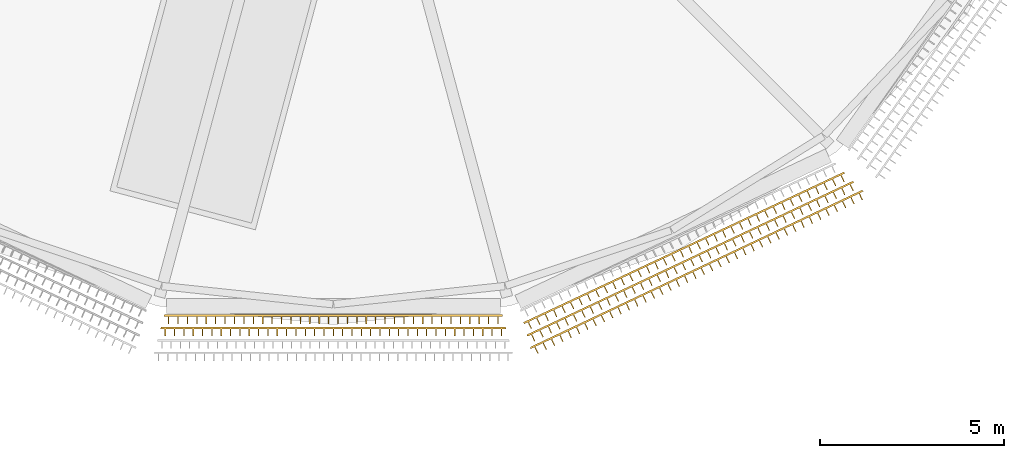
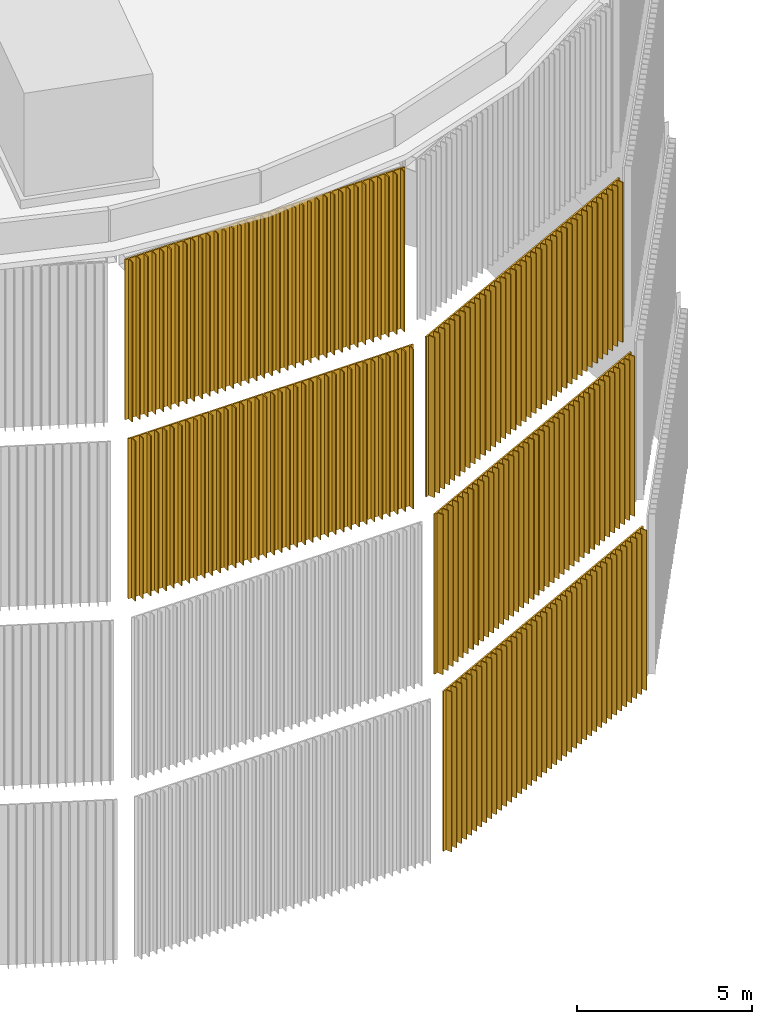
# One storey, part 5 of 24: 5 coverings.
"""IFC4 building model written with IfcOpenShell, lengths in metres."""

from ifc_helpers import new_model, si_unit, direction, frame, origin, place, context, subcontext, project, spatial, polyline, outline, extrude, material, type_object, element, save


model = new_model("IFC4")

# Units and contexts
model_context = context("Model", 3, precision=1e-05, world=origin(), true_north=direction((0.0, 1.0)))
body_context = subcontext(model_context, "Body", "Model", "MODEL_VIEW")
ifc_project = project(units=[si_unit("LENGTHUNIT", "METRE"), si_unit("AREAUNIT", "SQUARE_METRE"), si_unit("VOLUMEUNIT", "CUBIC_METRE"), si_unit("PLANEANGLEUNIT", "RADIAN"), si_unit("MASSUNIT", "GRAM", prefix="KILO")], contexts=[model_context])

# Site, building, storey
site_placement = place(None, origin())
site = spatial("IfcSite", under=ifc_project, at=site_placement, CompositionType="ELEMENT")
building_placement = place(site_placement, origin())
building = spatial("IfcBuilding", under=site, at=building_placement, Name="Rimbun Link Towers", CompositionType="ELEMENT")
storey_placement = place(building_placement, frame((0.0, 0.0, 294.89990234375)))
storey = spatial("IfcBuildingStorey", under=building, at=storey_placement, Name="Roof cap", CompositionType="ELEMENT", Elevation=294.89990234375)

# Coverings
ifc_material = material(Name="Terracotta", Category="masonry")
covering_type = type_object("IfcCoveringType", Name="TERRACOTTA CLADDING screen fins", PredefinedType="CLADDING", material=ifc_material)
covering_1_placement = place(storey_placement, frame((0.0, 0.0, -23.087890625)))
element("IfcCovering", 1, at=covering_1_placement, inside=storey, type_object=covering_type, Name="TERRACOTTA CLADDING screen", PredefinedType="CLADDING", context=body_context, shape_type="SweptSolid", body=[
    extrude(outline(polyline([(-26.37451171875, -19.08056640625), (-26.274658203125, -19.033447265625), (-26.189208984375, -19.214111328125), (-26.162109375, -19.201416015625), (-26.24755859375, -19.0205078125), (-26.048095703125, -18.92626953125), (-25.962646484375, -19.107177734375), (-25.935546875, -19.09423828125), (-26.02099609375, -18.91357421875), (-25.82177734375, -18.819091796875), (-25.736083984375, -19.0), (-25.708984375, -18.987060546875), (-25.794677734375, -18.806396484375), (-25.59521484375, -18.7119140625), (-25.509765625, -18.892822265625), (-25.482666015625, -18.8798828125), (-25.568115234375, -18.69921875), (-25.36865234375, -18.604736328125), (-25.283203125, -18.78564453125), (-25.256103515625, -18.772705078125), (-25.341552734375, -18.592041015625), (-25.142333984375, -18.497802734375), (-25.056640625, -18.678466796875), (-25.029541015625, -18.66552734375), (-25.114990234375, -18.48486328125), (-24.915771484375, -18.390380859375), (-24.830078125, -18.5712890625), (-24.802978515625, -18.55859375), (-24.888671875, -18.377685546875), (-24.689208984375, -18.283447265625), (-24.603759765625, -18.464111328125), (-24.57666015625, -18.451416015625), (-24.662109375, -18.2705078125), (-24.462890625, -18.17626953125), (-24.377197265625, -18.35693359375), (-24.35009765625, -18.34423828125), (-24.435791015625, -18.163330078125), (-24.236328125, -18.069091796875), (-24.15087890625, -18.25), (-24.12353515625, -18.237060546875), (-24.209228515625, -18.05615234375), (-24.009765625, -17.9619140625), (-23.92431640625, -18.142578125), (-23.897216796875, -18.1298828125), (-23.982666015625, -17.94921875), (-23.783203125, -17.854736328125), (-23.69775390625, -18.03564453125), (-23.670654296875, -18.022705078125), (-23.756103515625, -17.841796875), (-23.556884765625, -17.74755859375), (-23.47119140625, -17.928466796875), (-23.444091796875, -17.91552734375), (-23.52978515625, -17.73486328125), (-23.330322265625, -17.640380859375), (-23.244873046875, -17.8212890625), (-23.2177734375, -17.808349609375), (-23.30322265625, -17.627685546875), (-23.103759765625, -17.533203125), (-23.018310546875, -17.714111328125), (-22.9912109375, -17.701416015625), (-23.07666015625, -17.5205078125), (-22.877197265625, -17.42626953125), (-22.791748046875, -17.60693359375), (-22.7646484375, -17.593994140625), (-22.85009765625, -17.413330078125), (-22.65087890625, -17.319091796875), (-22.565185546875, -17.499755859375), (-22.5380859375, -17.487060546875), (-22.623779296875, -17.30615234375), (-22.42431640625, -17.2119140625), (-22.3388671875, -17.392578125), (-22.311767578125, -17.3798828125), (-22.397216796875, -17.198974609375), (-22.197998046875, -17.104736328125), (-22.1123046875, -17.285400390625), (-22.085205078125, -17.272705078125), (-22.170654296875, -17.091796875), (-21.971435546875, -16.99755859375), (-21.8857421875, -17.17822265625), (-21.858642578125, -17.16552734375), (-21.944091796875, -16.984619140625), (-21.744873046875, -16.890380859375), (-21.6591796875, -17.0712890625), (-21.632080078125, -17.058349609375), (-21.7177734375, -16.877685546875), (-21.518310546875, -16.783203125), (-21.432861328125, -16.964111328125), (-21.40576171875, -16.951171875), (-21.4912109375, -16.7705078125), (-21.2919921875, -16.676025390625), (-21.206298828125, -16.85693359375), (-21.17919921875, -16.843994140625), (-21.264892578125, -16.663330078125), (-21.0654296875, -16.56884765625), (-20.97998046875, -16.749755859375), (-20.95263671875, -16.73681640625), (-21.038330078125, -16.55615234375), (-20.8388671875, -16.4619140625), (-20.75341796875, -16.642578125), (-20.726318359375, -16.629638671875), (-20.811767578125, -16.448974609375), (-20.6123046875, -16.3544921875), (-20.52685546875, -16.535400390625), (-20.499755859375, -16.522705078125), (-20.585205078125, -16.341796875), (-20.385986328125, -16.24755859375), (-20.30029296875, -16.42822265625), (-20.273193359375, -16.415283203125), (-20.35888671875, -16.234619140625), (-20.159423828125, -16.140380859375), (-20.073974609375, -16.321044921875), (-20.046875, -16.308349609375), (-20.13232421875, -16.12744140625), (-19.932861328125, -16.033203125), (-19.847412109375, -16.214111328125), (-19.8203125, -16.201171875), (-19.90576171875, -16.020263671875), (-19.706298828125, -15.926025390625), (-19.620849609375, -16.106689453125), (-19.59375, -16.093994140625), (-19.67919921875, -15.9130859375), (-19.47998046875, -15.81884765625), (-19.394287109375, -15.999755859375), (-19.3671875, -15.98681640625), (-19.452880859375, -15.805908203125), (-19.25341796875, -15.711669921875), (-19.16796875, -15.892578125), (-19.140869140625, -15.879638671875), (-19.226318359375, -15.698974609375), (-19.027099609375, -15.6044921875), (-18.94140625, -15.785400390625), (-18.914306640625, -15.7724609375), (-18.999755859375, -15.591796875), (-18.800537109375, -15.497314453125), (-18.71484375, -15.67822265625), (-18.687744140625, -15.665283203125), (-18.773193359375, -15.484619140625), (-18.573974609375, -15.390380859375), (-18.48828125, -15.571044921875), (-18.461181640625, -15.55810546875), (-18.546875, -15.37744140625), (-18.347412109375, -15.283203125), (-18.261962890625, -15.4638671875), (-18.23486328125, -15.451171875), (-18.3203125, -15.270263671875), (-18.12109375, -15.176025390625), (-18.035400390625, -15.356689453125), (-18.00830078125, -15.343994140625), (-18.093994140625, -15.1630859375), (-17.89453125, -15.06884765625), (-17.80908203125, -15.24951171875), (-17.78173828125, -15.23681640625), (-17.867431640625, -15.055908203125), (-17.66796875, -14.961669921875), (-17.58251953125, -15.142333984375), (-17.555419921875, -15.129638671875), (-17.640869140625, -14.94873046875), (-17.44140625, -14.8544921875), (-17.35595703125, -15.035400390625), (-17.328857421875, -15.0224609375), (-17.414306640625, -14.841796875), (-17.314697265625, -14.79443359375), (-17.352294921875, -14.757080078125), (-26.3876953125, -19.031494140625), (-26.37451171875, -19.08056640625)])), origin(), (0.0, 0.0, 1.0), 5.575927734375),
])
covering_2_placement = place(storey_placement, frame((0.0, 0.0, -17.087890625)))
element("IfcCovering", 2, at=covering_2_placement, inside=storey, type_object=covering_type, Name="TERRACOTTA CLADDING screen", PredefinedType="CLADDING", context=body_context, shape_type="SweptSolid", body=[
    extrude(outline(polyline([(-26.465087890625, -18.742431640625), (-26.364501953125, -18.695068359375), (-26.279296875, -18.876220703125), (-26.251953125, -18.86328125), (-26.33740234375, -18.682373046875), (-26.13623046875, -18.587646484375), (-26.05078125, -18.7685546875), (-26.023681640625, -18.755615234375), (-26.10888671875, -18.57470703125), (-25.907958984375, -18.47998046875), (-25.822509765625, -18.660888671875), (-25.79541015625, -18.648193359375), (-25.880615234375, -18.46728515625), (-25.6796875, -18.372314453125), (-25.59423828125, -18.55322265625), (-25.567138671875, -18.54052734375), (-25.652587890625, -18.359619140625), (-25.451416015625, -18.264892578125), (-25.3662109375, -18.44580078125), (-25.3388671875, -18.43310546875), (-25.42431640625, -18.251953125), (-25.222900390625, -18.1572265625), (-25.1376953125, -18.338134765625), (-25.110595703125, -18.325439453125), (-25.19580078125, -18.14453125), (-24.994873046875, -18.0498046875), (-24.909423828125, -18.230712890625), (-24.88232421875, -18.2177734375), (-24.967529296875, -18.036865234375), (-24.7666015625, -17.942138671875), (-24.68115234375, -18.123046875), (-24.654052734375, -18.110107421875), (-24.739501953125, -17.92919921875), (-24.5380859375, -17.83447265625), (-24.452880859375, -18.015380859375), (-24.42578125, -18.002685546875), (-24.510986328125, -17.82177734375), (-24.309814453125, -17.726806640625), (-24.224609375, -17.907958984375), (-24.197509765625, -17.89501953125), (-24.28271484375, -17.714111328125), (-24.081787109375, -17.619384765625), (-23.996337890625, -17.80029296875), (-23.96923828125, -17.78759765625), (-24.054443359375, -17.606689453125), (-23.853515625, -17.51171875), (-23.76806640625, -17.692626953125), (-23.740966796875, -17.679931640625), (-23.826171875, -17.4990234375), (-23.625, -17.404296875), (-23.539794921875, -17.585205078125), (-23.5126953125, -17.572265625), (-23.597900390625, -17.391357421875), (-23.396728515625, -17.296630859375), (-23.3115234375, -17.4775390625), (-23.284423828125, -17.46484375), (-23.36962890625, -17.28369140625), (-23.168701171875, -17.189208984375), (-23.083251953125, -17.3701171875), (-23.05615234375, -17.357177734375), (-23.141357421875, -17.17626953125), (-22.940185546875, -17.08154296875), (-22.85498046875, -17.262451171875), (-22.827880859375, -17.24951171875), (-22.9130859375, -17.068603515625), (-22.7119140625, -16.973876953125), (-22.626708984375, -17.15478515625), (-22.599609375, -17.14208984375), (-22.684814453125, -16.961181640625), (-22.483642578125, -16.8662109375), (-22.3984375, -17.047119140625), (-22.371337890625, -17.034423828125), (-22.45654296875, -16.853515625), (-22.25537109375, -16.7587890625), (-22.170166015625, -16.939697265625), (-22.14306640625, -16.927001953125), (-22.228271484375, -16.74609375), (-22.027099609375, -16.651123046875), (-21.94189453125, -16.83203125), (-21.914794921875, -16.8193359375), (-22.0, -16.638427734375), (-21.798828125, -16.543701171875), (-21.713623046875, -16.724609375), (-21.6865234375, -16.711669921875), (-21.771728515625, -16.53076171875), (-21.570556640625, -16.43603515625), (-21.4853515625, -16.616943359375), (-21.458251953125, -16.60400390625), (-21.54345703125, -16.423095703125), (-21.34228515625, -16.328369140625), (-21.257080078125, -16.509521484375), (-21.22998046875, -16.49658203125), (-21.315185546875, -16.315673828125), (-21.114013671875, -16.220947265625), (-21.02880859375, -16.40185546875), (-21.001708984375, -16.388916015625), (-21.0869140625, -16.2080078125), (-20.8857421875, -16.11328125), (-20.800537109375, -16.294189453125), (-20.7734375, -16.281494140625), (-20.858642578125, -16.1005859375), (-20.657470703125, -16.005615234375), (-20.572265625, -16.1865234375), (-20.545166015625, -16.173828125), (-20.63037109375, -15.992919921875), (-20.42919921875, -15.898193359375), (-20.343994140625, -16.0791015625), (-20.31689453125, -16.06640625), (-20.402099609375, -15.88525390625), (-20.200927734375, -15.79052734375), (-20.11572265625, -15.971435546875), (-20.08837890625, -15.958740234375), (-20.173828125, -15.77783203125), (-19.97265625, -15.68310546875), (-19.887451171875, -15.864013671875), (-19.8603515625, -15.85107421875), (-19.945556640625, -15.670166015625), (-19.744384765625, -15.575439453125), (-19.6591796875, -15.75634765625), (-19.632080078125, -15.743408203125), (-19.71728515625, -15.5625), (-19.51611328125, -15.4677734375), (-19.430908203125, -15.648681640625), (-19.40380859375, -15.635986328125), (-19.489013671875, -15.455078125), (-19.287841796875, -15.360107421875), (-19.20263671875, -15.541259765625), (-19.17529296875, -15.5283203125), (-19.2607421875, -15.347412109375), (-19.0595703125, -15.252685546875), (-18.974365234375, -15.43359375), (-18.947265625, -15.4208984375), (-19.032470703125, -15.239990234375), (-18.831298828125, -15.14501953125), (-18.74609375, -15.325927734375), (-18.718994140625, -15.313232421875), (-18.80419921875, -15.13232421875), (-18.60302734375, -15.03759765625), (-18.517578125, -15.218505859375), (-18.490478515625, -15.20556640625), (-18.575927734375, -15.024658203125), (-18.374755859375, -14.929931640625), (-18.28955078125, -15.11083984375), (-18.26220703125, -15.09814453125), (-18.34765625, -14.917236328125), (-18.146484375, -14.822509765625), (-18.061279296875, -15.00341796875), (-18.0341796875, -14.990478515625), (-18.119384765625, -14.8095703125), (-17.918212890625, -14.71484375), (-17.8330078125, -14.895751953125), (-17.805908203125, -14.8828125), (-17.89111328125, -14.701904296875), (-17.68994140625, -14.607177734375), (-17.6044921875, -14.7880859375), (-17.577392578125, -14.775390625), (-17.662841796875, -14.594482421875), (-17.562255859375, -14.547119140625), (-17.599853515625, -14.509521484375), (-26.478271484375, -18.693603515625), (-26.465087890625, -18.742431640625)])), origin(), (0.0, 0.0, 1.0), 5.575927734375),
])
covering_3_placement = place(storey_placement, frame((0.0, 0.0, -11.087890625)))
element("IfcCovering", 3, at=covering_3_placement, inside=storey, type_object=covering_type, Name="TERRACOTTA CLADDING screen", PredefinedType="CLADDING", context=body_context, shape_type="SweptSolid", body=[
    extrude(outline(polyline([(-36.4541015625, -18.536865234375), (-36.341796875, -18.536865234375), (-36.341796875, -18.73681640625), (-36.311767578125, -18.73681640625), (-36.311767578125, -18.536865234375), (-36.087646484375, -18.536865234375), (-36.087646484375, -18.73681640625), (-36.0576171875, -18.73681640625), (-36.0576171875, -18.536865234375), (-35.833251953125, -18.536865234375), (-35.833251953125, -18.73681640625), (-35.80322265625, -18.73681640625), (-35.80322265625, -18.536865234375), (-35.5791015625, -18.536865234375), (-35.5791015625, -18.73681640625), (-35.549072265625, -18.73681640625), (-35.549072265625, -18.536865234375), (-35.32470703125, -18.536865234375), (-35.32470703125, -18.73681640625), (-35.294677734375, -18.73681640625), (-35.294677734375, -18.536865234375), (-35.070556640625, -18.536865234375), (-35.070556640625, -18.73681640625), (-35.04052734375, -18.73681640625), (-35.04052734375, -18.536865234375), (-34.816162109375, -18.536865234375), (-34.816162109375, -18.73681640625), (-34.7861328125, -18.73681640625), (-34.7861328125, -18.536865234375), (-34.56201171875, -18.536865234375), (-34.56201171875, -18.73681640625), (-34.531982421875, -18.73681640625), (-34.531982421875, -18.536865234375), (-34.3076171875, -18.536865234375), (-34.3076171875, -18.73681640625), (-34.277587890625, -18.73681640625), (-34.277587890625, -18.536865234375), (-34.053466796875, -18.536865234375), (-34.053466796875, -18.73681640625), (-34.0234375, -18.73681640625), (-34.0234375, -18.536865234375), (-33.799072265625, -18.536865234375), (-33.799072265625, -18.73681640625), (-33.76904296875, -18.73681640625), (-33.76904296875, -18.536865234375), (-33.544921875, -18.536865234375), (-33.544921875, -18.73681640625), (-33.514892578125, -18.73681640625), (-33.514892578125, -18.536865234375), (-33.29052734375, -18.536865234375), (-33.29052734375, -18.73681640625), (-33.260498046875, -18.73681640625), (-33.260498046875, -18.536865234375), (-33.036376953125, -18.536865234375), (-33.036376953125, -18.73681640625), (-33.00634765625, -18.73681640625), (-33.00634765625, -18.536865234375), (-32.781982421875, -18.536865234375), (-32.781982421875, -18.73681640625), (-32.752197265625, -18.73681640625), (-32.752197265625, -18.536865234375), (-32.52783203125, -18.536865234375), (-32.52783203125, -18.73681640625), (-32.497802734375, -18.73681640625), (-32.497802734375, -18.536865234375), (-32.2734375, -18.536865234375), (-32.2734375, -18.73681640625), (-32.243408203125, -18.73681640625), (-32.243408203125, -18.536865234375), (-32.019287109375, -18.536865234375), (-32.019287109375, -18.73681640625), (-31.9892578125, -18.73681640625), (-31.9892578125, -18.536865234375), (-31.764892578125, -18.536865234375), (-31.764892578125, -18.73681640625), (-31.735107421875, -18.73681640625), (-31.735107421875, -18.536865234375), (-31.5107421875, -18.536865234375), (-31.5107421875, -18.73681640625), (-31.480712890625, -18.73681640625), (-31.480712890625, -18.536865234375), (-31.256591796875, -18.536865234375), (-31.256591796875, -18.73681640625), (-31.2265625, -18.73681640625), (-31.2265625, -18.536865234375), (-31.002197265625, -18.536865234375), (-31.002197265625, -18.73681640625), (-30.97216796875, -18.73681640625), (-30.97216796875, -18.536865234375), (-30.747802734375, -18.536865234375), (-30.747802734375, -18.73681640625), (-30.718017578125, -18.73681640625), (-30.718017578125, -18.536865234375), (-30.49365234375, -18.536865234375), (-30.49365234375, -18.73681640625), (-30.463623046875, -18.73681640625), (-30.463623046875, -18.536865234375), (-30.239501953125, -18.536865234375), (-30.239501953125, -18.73681640625), (-30.20947265625, -18.73681640625), (-30.20947265625, -18.536865234375), (-29.985107421875, -18.536865234375), (-29.985107421875, -18.73681640625), (-29.955078125, -18.73681640625), (-29.955078125, -18.536865234375), (-29.73095703125, -18.536865234375), (-29.73095703125, -18.73681640625), (-29.700927734375, -18.73681640625), (-29.700927734375, -18.536865234375), (-29.4765625, -18.536865234375), (-29.4765625, -18.73681640625), (-29.446533203125, -18.73681640625), (-29.446533203125, -18.536865234375), (-29.222412109375, -18.536865234375), (-29.222412109375, -18.73681640625), (-29.1923828125, -18.73681640625), (-29.1923828125, -18.536865234375), (-28.968017578125, -18.536865234375), (-28.968017578125, -18.73681640625), (-28.93798828125, -18.73681640625), (-28.93798828125, -18.536865234375), (-28.7138671875, -18.536865234375), (-28.7138671875, -18.73681640625), (-28.683837890625, -18.73681640625), (-28.683837890625, -18.536865234375), (-28.45947265625, -18.536865234375), (-28.45947265625, -18.73681640625), (-28.429443359375, -18.73681640625), (-28.429443359375, -18.536865234375), (-28.205322265625, -18.536865234375), (-28.205322265625, -18.73681640625), (-28.17529296875, -18.73681640625), (-28.17529296875, -18.536865234375), (-27.950927734375, -18.536865234375), (-27.950927734375, -18.73681640625), (-27.9208984375, -18.73681640625), (-27.9208984375, -18.536865234375), (-27.69677734375, -18.536865234375), (-27.69677734375, -18.73681640625), (-27.666748046875, -18.73681640625), (-27.666748046875, -18.536865234375), (-27.4423828125, -18.536865234375), (-27.4423828125, -18.73681640625), (-27.412353515625, -18.73681640625), (-27.412353515625, -18.536865234375), (-27.188232421875, -18.536865234375), (-27.188232421875, -18.73681640625), (-27.158203125, -18.73681640625), (-27.158203125, -18.536865234375), (-27.0458984375, -18.536865234375), (-27.059326171875, -18.48681640625), (-36.440673828125, -18.48681640625), (-36.4541015625, -18.536865234375)])), origin(), (0.0, 0.0, 1.0), 5.575927734375),
])
covering_4_placement = place(storey_placement, frame((0.0, 0.0, -11.087890625)))
element("IfcCovering", 4, at=covering_4_placement, inside=storey, type_object=covering_type, Name="TERRACOTTA CLADDING screen", PredefinedType="CLADDING", context=body_context, shape_type="SweptSolid", body=[
    extrude(outline(polyline([(-26.5556640625, -18.404541015625), (-26.4541015625, -18.356689453125), (-26.369140625, -18.537841796875), (-26.342041015625, -18.525146484375), (-26.427001953125, -18.343994140625), (-26.22412109375, -18.248779296875), (-26.138916015625, -18.429931640625), (-26.11181640625, -18.4169921875), (-26.19677734375, -18.236083984375), (-25.993896484375, -18.140869140625), (-25.90869140625, -18.32177734375), (-25.881591796875, -18.30908203125), (-25.966552734375, -18.1279296875), (-25.763671875, -18.03271484375), (-25.6787109375, -18.2138671875), (-25.651611328125, -18.201171875), (-25.736572265625, -18.02001953125), (-25.533447265625, -17.9248046875), (-25.448486328125, -18.105712890625), (-25.42138671875, -18.093017578125), (-25.50634765625, -17.912109375), (-25.30322265625, -17.816650390625), (-25.218505859375, -17.997802734375), (-25.191162109375, -17.985107421875), (-25.276123046875, -17.803955078125), (-25.0732421875, -17.708740234375), (-24.98828125, -17.8896484375), (-24.9609375, -17.876953125), (-25.0458984375, -17.69580078125), (-24.843017578125, -17.6005859375), (-24.758056640625, -17.78173828125), (-24.73095703125, -17.76904296875), (-24.81591796875, -17.587890625), (-24.61279296875, -17.49267578125), (-24.52783203125, -17.673583984375), (-24.500732421875, -17.660888671875), (-24.585693359375, -17.47998046875), (-24.3828125, -17.384521484375), (-24.297607421875, -17.565673828125), (-24.2705078125, -17.552978515625), (-24.35546875, -17.371826171875), (-24.152587890625, -17.276611328125), (-24.067626953125, -17.45751953125), (-24.040283203125, -17.44482421875), (-24.12548828125, -17.263916015625), (-23.92236328125, -17.168701171875), (-23.83740234375, -17.349609375), (-23.810302734375, -17.3369140625), (-23.895263671875, -17.15576171875), (-23.692138671875, -17.060546875), (-23.607421875, -17.24169921875), (-23.580078125, -17.228759765625), (-23.6650390625, -17.0478515625), (-23.462158203125, -16.952392578125), (-23.377197265625, -17.133544921875), (-23.349853515625, -17.120849609375), (-23.434814453125, -16.939697265625), (-23.23193359375, -16.844482421875), (-23.14697265625, -17.025390625), (-23.119873046875, -17.0126953125), (-23.204833984375, -16.831787109375), (-23.001708984375, -16.736572265625), (-22.916748046875, -16.91748046875), (-22.8896484375, -16.90478515625), (-22.974609375, -16.7236328125), (-22.771484375, -16.62841796875), (-22.6865234375, -16.8095703125), (-22.659423828125, -16.796630859375), (-22.744384765625, -16.61572265625), (-22.54150390625, -16.5205078125), (-22.45654296875, -16.701416015625), (-22.42919921875, -16.688720703125), (-22.514404296875, -16.5078125), (-22.311279296875, -16.412353515625), (-22.226318359375, -16.593505859375), (-22.19921875, -16.580810546875), (-22.2841796875, -16.399658203125), (-22.0810546875, -16.304443359375), (-21.99609375, -16.4853515625), (-21.968994140625, -16.47265625), (-22.053955078125, -16.29150390625), (-21.85107421875, -16.1962890625), (-21.76611328125, -16.37744140625), (-21.73876953125, -16.364501953125), (-21.82373046875, -16.18359375), (-21.620849609375, -16.08837890625), (-21.535888671875, -16.269287109375), (-21.5087890625, -16.256591796875), (-21.59375, -16.07568359375), (-21.390625, -15.980224609375), (-21.3056640625, -16.161376953125), (-21.278564453125, -16.148681640625), (-21.363525390625, -15.967529296875), (-21.160400390625, -15.872314453125), (-21.075439453125, -16.05322265625), (-21.04833984375, -16.04052734375), (-21.13330078125, -15.859619140625), (-20.930419921875, -15.76416015625), (-20.845458984375, -15.9453125), (-20.818115234375, -15.9326171875), (-20.9033203125, -15.75146484375), (-20.7001953125, -15.65625), (-20.615234375, -15.83740234375), (-20.588134765625, -15.824462890625), (-20.673095703125, -15.6435546875), (-20.469970703125, -15.548095703125), (-20.385009765625, -15.729248046875), (-20.35791015625, -15.716552734375), (-20.44287109375, -15.535400390625), (-20.239990234375, -15.440185546875), (-20.15478515625, -15.62109375), (-20.127685546875, -15.6083984375), (-20.212646484375, -15.427490234375), (-20.009765625, -15.332275390625), (-19.9248046875, -15.51318359375), (-19.897705078125, -15.50048828125), (-19.982666015625, -15.3193359375), (-19.779541015625, -15.22412109375), (-19.694580078125, -15.4052734375), (-19.66748046875, -15.392333984375), (-19.75244140625, -15.21142578125), (-19.54931640625, -15.1162109375), (-19.46435546875, -15.297119140625), (-19.437255859375, -15.284423828125), (-19.522216796875, -15.103515625), (-19.3193359375, -15.008056640625), (-19.234375, -15.189208984375), (-19.20703125, -15.176513671875), (-19.2919921875, -14.995361328125), (-19.089111328125, -14.900146484375), (-19.004150390625, -15.0810546875), (-18.97705078125, -15.068359375), (-19.06201171875, -14.88720703125), (-18.85888671875, -14.7919921875), (-18.77392578125, -14.97314453125), (-18.746826171875, -14.960205078125), (-18.831787109375, -14.779296875), (-18.62890625, -14.68408203125), (-18.543701171875, -14.864990234375), (-18.5166015625, -14.852294921875), (-18.6015625, -14.67138671875), (-18.398681640625, -14.575927734375), (-18.313720703125, -14.757080078125), (-18.28662109375, -14.744384765625), (-18.37158203125, -14.563232421875), (-18.16845703125, -14.468017578125), (-18.08349609375, -14.64892578125), (-18.056396484375, -14.63623046875), (-18.141357421875, -14.455078125), (-17.938232421875, -14.35986328125), (-17.853271484375, -14.541015625), (-17.826171875, -14.5283203125), (-17.9111328125, -14.34716796875), (-17.809814453125, -14.299560546875), (-17.847412109375, -14.261962890625), (-26.56884765625, -18.35546875), (-26.5556640625, -18.404541015625)])), origin(), (0.0, 0.0, 1.0), 5.575927734375),
])
covering_5_placement = place(storey_placement, frame((0.0, 0.0, -5.087890625)))
element("IfcCovering", 5, at=covering_5_placement, inside=storey, type_object=covering_type, Name="TERRACOTTA CLADDING screen", PredefinedType="CLADDING", context=body_context, shape_type="SweptSolid", body=[
    extrude(outline(polyline([(-36.36328125, -18.19873046875), (-36.250244140625, -18.19873046875), (-36.250244140625, -18.398681640625), (-36.22021484375, -18.398681640625), (-36.22021484375, -18.19873046875), (-35.993896484375, -18.19873046875), (-35.993896484375, -18.398681640625), (-35.9638671875, -18.398681640625), (-35.9638671875, -18.19873046875), (-35.737548828125, -18.19873046875), (-35.737548828125, -18.398681640625), (-35.70751953125, -18.398681640625), (-35.70751953125, -18.19873046875), (-35.481201171875, -18.19873046875), (-35.481201171875, -18.398681640625), (-35.451416015625, -18.398681640625), (-35.451416015625, -18.19873046875), (-35.22509765625, -18.19873046875), (-35.22509765625, -18.398681640625), (-35.195068359375, -18.398681640625), (-35.195068359375, -18.19873046875), (-34.96875, -18.19873046875), (-34.96875, -18.398681640625), (-34.938720703125, -18.398681640625), (-34.938720703125, -18.19873046875), (-34.71240234375, -18.19873046875), (-34.71240234375, -18.398681640625), (-34.682373046875, -18.398681640625), (-34.682373046875, -18.19873046875), (-34.4560546875, -18.19873046875), (-34.4560546875, -18.398681640625), (-34.426025390625, -18.398681640625), (-34.426025390625, -18.19873046875), (-34.19970703125, -18.19873046875), (-34.19970703125, -18.398681640625), (-34.169921875, -18.398681640625), (-34.169921875, -18.19873046875), (-33.943603515625, -18.19873046875), (-33.943603515625, -18.398681640625), (-33.91357421875, -18.398681640625), (-33.91357421875, -18.19873046875), (-33.687255859375, -18.19873046875), (-33.687255859375, -18.398681640625), (-33.6572265625, -18.398681640625), (-33.6572265625, -18.19873046875), (-33.430908203125, -18.19873046875), (-33.430908203125, -18.398681640625), (-33.40087890625, -18.398681640625), (-33.40087890625, -18.19873046875), (-33.174560546875, -18.19873046875), (-33.174560546875, -18.398681640625), (-33.14453125, -18.398681640625), (-33.14453125, -18.19873046875), (-32.918212890625, -18.19873046875), (-32.918212890625, -18.398681640625), (-32.88818359375, -18.398681640625), (-32.88818359375, -18.19873046875), (-32.662109375, -18.19873046875), (-32.662109375, -18.398681640625), (-32.632080078125, -18.398681640625), (-32.632080078125, -18.19873046875), (-32.40576171875, -18.19873046875), (-32.40576171875, -18.398681640625), (-32.375732421875, -18.398681640625), (-32.375732421875, -18.19873046875), (-32.1494140625, -18.19873046875), (-32.1494140625, -18.398681640625), (-32.119384765625, -18.398681640625), (-32.119384765625, -18.19873046875), (-31.89306640625, -18.19873046875), (-31.89306640625, -18.398681640625), (-31.863037109375, -18.398681640625), (-31.863037109375, -18.19873046875), (-31.636962890625, -18.19873046875), (-31.636962890625, -18.398681640625), (-31.60693359375, -18.398681640625), (-31.60693359375, -18.19873046875), (-31.380615234375, -18.19873046875), (-31.380615234375, -18.398681640625), (-31.3505859375, -18.398681640625), (-31.3505859375, -18.19873046875), (-31.124267578125, -18.19873046875), (-31.124267578125, -18.398681640625), (-31.09423828125, -18.398681640625), (-31.09423828125, -18.19873046875), (-30.867919921875, -18.19873046875), (-30.867919921875, -18.398681640625), (-30.837890625, -18.398681640625), (-30.837890625, -18.19873046875), (-30.61181640625, -18.19873046875), (-30.61181640625, -18.398681640625), (-30.581787109375, -18.398681640625), (-30.581787109375, -18.19873046875), (-30.35546875, -18.19873046875), (-30.35546875, -18.398681640625), (-30.325439453125, -18.398681640625), (-30.325439453125, -18.19873046875), (-30.09912109375, -18.19873046875), (-30.09912109375, -18.398681640625), (-30.069091796875, -18.398681640625), (-30.069091796875, -18.19873046875), (-29.8427734375, -18.19873046875), (-29.8427734375, -18.398681640625), (-29.812744140625, -18.398681640625), (-29.812744140625, -18.19873046875), (-29.58642578125, -18.19873046875), (-29.58642578125, -18.398681640625), (-29.556396484375, -18.398681640625), (-29.556396484375, -18.19873046875), (-29.330078125, -18.19873046875), (-29.330078125, -18.398681640625), (-29.30029296875, -18.398681640625), (-29.30029296875, -18.19873046875), (-29.073974609375, -18.19873046875), (-29.073974609375, -18.398681640625), (-29.0439453125, -18.398681640625), (-29.0439453125, -18.19873046875), (-28.817626953125, -18.19873046875), (-28.817626953125, -18.398681640625), (-28.78759765625, -18.398681640625), (-28.78759765625, -18.19873046875), (-28.561279296875, -18.19873046875), (-28.561279296875, -18.398681640625), (-28.53125, -18.398681640625), (-28.53125, -18.19873046875), (-28.304931640625, -18.19873046875), (-28.304931640625, -18.398681640625), (-28.27490234375, -18.398681640625), (-28.27490234375, -18.19873046875), (-28.048583984375, -18.19873046875), (-28.048583984375, -18.398681640625), (-28.018798828125, -18.398681640625), (-28.018798828125, -18.19873046875), (-27.79248046875, -18.19873046875), (-27.79248046875, -18.398681640625), (-27.762451171875, -18.398681640625), (-27.762451171875, -18.19873046875), (-27.5361328125, -18.19873046875), (-27.5361328125, -18.398681640625), (-27.506103515625, -18.398681640625), (-27.506103515625, -18.19873046875), (-27.27978515625, -18.19873046875), (-27.27978515625, -18.398681640625), (-27.249755859375, -18.398681640625), (-27.249755859375, -18.19873046875), (-27.13671875, -18.19873046875), (-27.14990234375, -18.148681640625), (-36.35009765625, -18.148681640625), (-36.36328125, -18.19873046875)])), origin(), (0.0, 0.0, 1.0), 5.575927734375),
])

save(model, "model.ifc")
